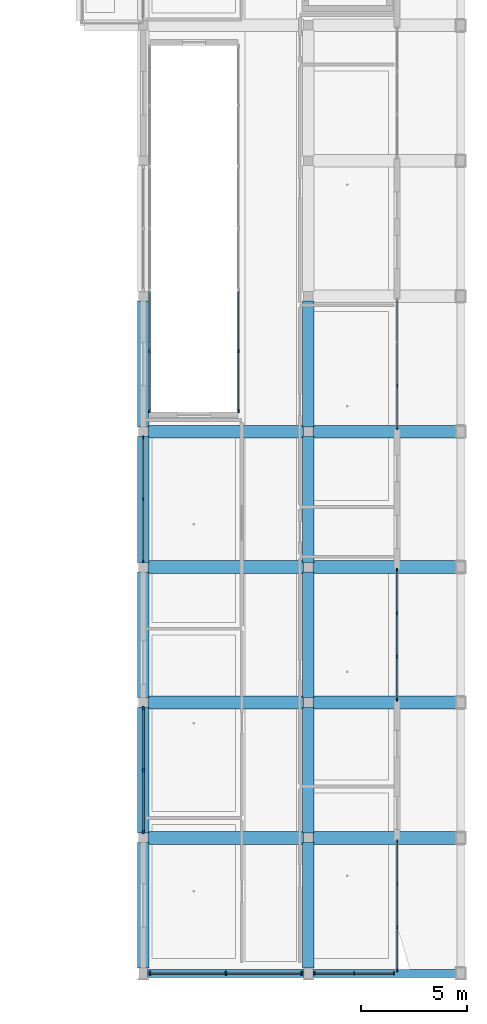
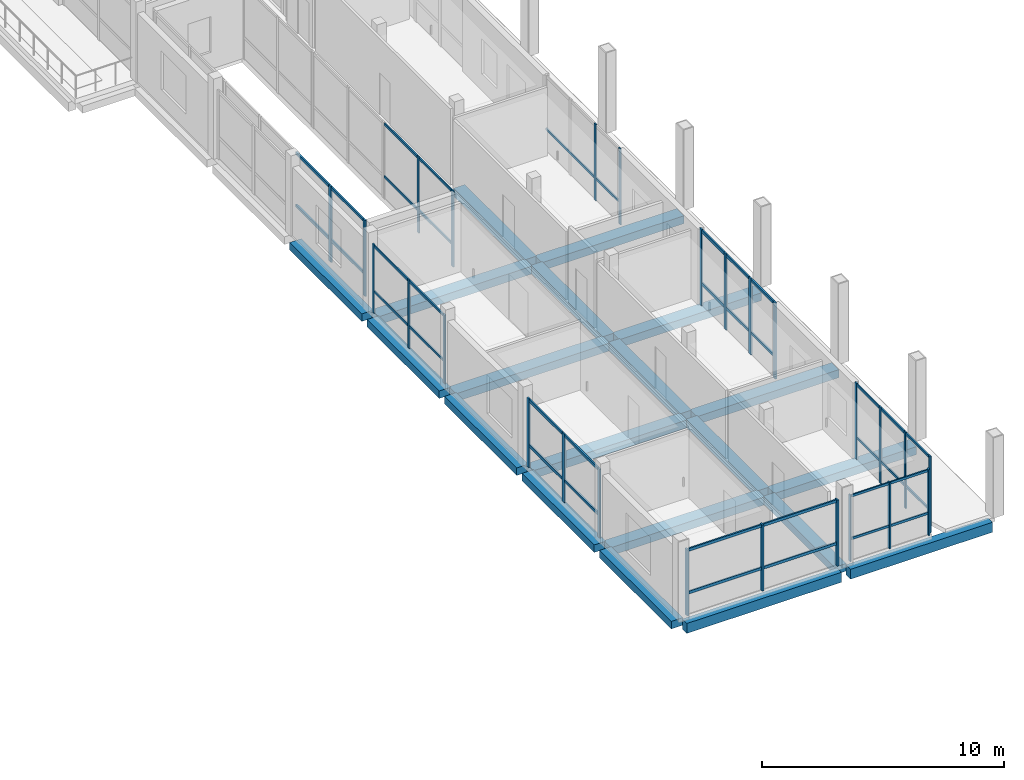
# One storey, part 8 of 48: 43 members, 20 beams, 9 elements without a shape of their own.
"""IFC4 building model written with IfcOpenShell, lengths in metres."""

from ifc_helpers import new_model, si_unit, derived_unit, direction, frame, origin, origin_2d, place, context, subcontext, project, spatial, rectangle, extrude, material, material_profile, profile_set, type_object, element, aggregate, save


model = new_model("IFC4")

# Units and contexts
model_context = context("Model", 3, precision=1e-05, world=origin(), true_north=direction((0.0, 1.0)))
body_context = subcontext(model_context, "Body", "Model", "MODEL_VIEW")
ifc_project = project(units=[si_unit("LENGTHUNIT", "METRE"), si_unit("AREAUNIT", "SQUARE_METRE"), si_unit("VOLUMEUNIT", "CUBIC_METRE"), si_unit("PLANEANGLEUNIT", "RADIAN"), si_unit("MASSUNIT", "GRAM", prefix="KILO"), derived_unit("THERMALTRANSMITTANCEUNIT", [(si_unit("POWERUNIT", "WATT"), 1), (si_unit("LENGTHUNIT", "METRE"), -2), (si_unit("THERMODYNAMICTEMPERATUREUNIT", "KELVIN"), -1)])], contexts=[model_context])

# Site, building, storey
site_placement = place(None, origin())
site = spatial("IfcSite", under=ifc_project, at=site_placement, CompositionType="ELEMENT")
building_placement = place(site_placement, origin())
building = spatial("IfcBuilding", under=site, at=building_placement, Name="Braskholm Square Health Centre", CompositionType="ELEMENT")
storey_placement = place(building_placement, frame((0.0, 0.0, 17.550048828125)))
storey = spatial("IfcBuildingStorey", under=building, at=storey_placement, Name="L05", CompositionType="ELEMENT", Elevation=17.550048828125)

# Curtain wall, members
ifc_material_1 = material(Name="Low-E triple insulating glass (VLT 0.64)", Category="glass")
curtain_wall_type_1 = type_object("IfcCurtainWallType", Name="UnitisedCurtainWall6200x3800", PredefinedType="NOTDEFINED", material=ifc_material_1)
curtain_wall_1_placement = place(storey_placement, origin())
curtain_wall_1 = element("IfcCurtainWall", 1, at=curtain_wall_1_placement, inside=storey, type_object=curtain_wall_type_1, Name="East Crown unitised curtain wall CW-L05-0076", PredefinedType="NOTDEFINED")
ifc_material_2 = material(Name="Architectural bronze anodised aluminium", Category="aluminium")
ifc_material_profile_1 = material_profile(ifc_material_2, rectangle(XDim=0.06494140625, YDim=0.14990234375, at=origin_2d()), Name="ALU-65X150")
ifc_profile_set_1 = profile_set([ifc_material_profile_1], Name="Architectural bronze anodised aluminium")
member_type_1 = type_object("IfcMemberType", Name="CurtainWallMullion65x150", PredefinedType="MULLION", material=ifc_profile_set_1)
member_1_placement = place(storey_placement, frame((160.800048828125, 4.35693359375, 0.0), z_axis=(0.0, 0.0, 1.0), x_axis=(1.0, 0.0, 0.0)))
member_1 = element("IfcMember", 2, at=member_1_placement, type_object=member_type_1, Name="CW-L05-0076 vertical mullion 1", PredefinedType="MULLION", context=body_context, shape_type="SweptSolid", body=[
    extrude(rectangle(XDim=0.06494140625, YDim=0.14990234375, at=origin_2d()), origin(), (0.0, 0.0, 1.0), 3.83984375),
])
member_2_placement = place(storey_placement, frame((160.800048828125, 6.373291015625, 0.0), z_axis=(0.0, 0.0, 1.0), x_axis=(1.0, 0.0, 0.0)))
member_2 = element("IfcMember", 3, at=member_2_placement, type_object=member_type_1, Name="CW-L05-0076 vertical mullion 2", PredefinedType="MULLION", context=body_context, shape_type="SweptSolid", body=[
    extrude(rectangle(XDim=0.06494140625, YDim=0.14990234375, at=origin_2d()), origin(), (0.0, 0.0, 1.0), 3.83984375),
])
member_3_placement = place(storey_placement, frame((160.800048828125, 8.4267578125, 0.0), z_axis=(0.0, 0.0, 1.0), x_axis=(1.0, 0.0, 0.0)))
member_3 = element("IfcMember", 4, at=member_3_placement, type_object=member_type_1, Name="CW-L05-0076 vertical mullion 3", PredefinedType="MULLION", context=body_context, shape_type="SweptSolid", body=[
    extrude(rectangle(XDim=0.06494140625, YDim=0.14990234375, at=origin_2d()), origin(), (0.0, 0.0, 1.0), 3.83984375),
])
member_4_placement = place(storey_placement, frame((160.800048828125, 10.443115234375, 0.0), z_axis=(0.0, 0.0, 1.0), x_axis=(1.0, 0.0, 0.0)))
member_4 = element("IfcMember", 5, at=member_4_placement, type_object=member_type_1, Name="CW-L05-0076 vertical mullion 4", PredefinedType="MULLION", context=body_context, shape_type="SweptSolid", body=[
    extrude(rectangle(XDim=0.06494140625, YDim=0.14990234375, at=origin_2d()), origin(), (0.0, 0.0, 1.0), 3.83984375),
])

curtain_wall_2_placement = place(storey_placement, origin())
curtain_wall_2 = element("IfcCurtainWall", 6, at=curtain_wall_2_placement, inside=storey, type_object=curtain_wall_type_1, Name="East Crown unitised curtain wall CW-L05-0078", PredefinedType="NOTDEFINED")
member_5_placement = place(storey_placement, frame((160.800048828125, 29.95703125, 0.0), z_axis=(0.0, 0.0, 1.0), x_axis=(1.0, 0.0, 0.0)))
member_5 = element("IfcMember", 7, at=member_5_placement, type_object=member_type_1, Name="CW-L05-0078 vertical mullion 1", PredefinedType="MULLION", context=body_context, shape_type="SweptSolid", body=[
    extrude(rectangle(XDim=0.06494140625, YDim=0.14990234375, at=origin_2d()), origin(), (0.0, 0.0, 1.0), 3.83984375),
])
member_6_placement = place(storey_placement, frame((160.800048828125, 31.973388671875, 0.0), z_axis=(0.0, 0.0, 1.0), x_axis=(1.0, 0.0, 0.0)))
member_6 = element("IfcMember", 8, at=member_6_placement, type_object=member_type_1, Name="CW-L05-0078 vertical mullion 2", PredefinedType="MULLION", context=body_context, shape_type="SweptSolid", body=[
    extrude(rectangle(XDim=0.06494140625, YDim=0.14990234375, at=origin_2d()), origin(), (0.0, 0.0, 1.0), 3.83984375),
])

curtain_wall_type_2 = type_object("IfcCurtainWallType", Name="UnitisedCurtainWall6200x3650", PredefinedType="NOTDEFINED", material=ifc_material_1)
curtain_wall_3_placement = place(storey_placement, origin())
curtain_wall_3 = element("IfcCurtainWall", 9, at=curtain_wall_3_placement, inside=storey, type_object=curtain_wall_type_2, Name="East Valley unitised curtain wall CW-L05-0138", PredefinedType="NOTDEFINED")
member_7_placement = place(storey_placement, frame((148.800048828125, 29.5244140625, 0.0), z_axis=(0.0, 0.0, 1.0), x_axis=(1.0, 0.0, 0.0)))
member_7 = element("IfcMember", 10, at=member_7_placement, type_object=member_type_1, Name="CW-L05-0138 vertical mullion 1", PredefinedType="MULLION", context=body_context, shape_type="SweptSolid", body=[
    extrude(rectangle(XDim=0.06494140625, YDim=0.14990234375, at=origin_2d()), origin(), (0.0, 0.0, 1.0), 3.4599609375),
])
member_8_placement = place(storey_placement, frame((148.800048828125, 26.60009765625, 0.0), z_axis=(0.0, 0.0, 1.0), x_axis=(1.0, 0.0, 0.0)))
member_8 = element("IfcMember", 11, at=member_8_placement, type_object=member_type_1, Name="CW-L05-0138 vertical mullion 2", PredefinedType="MULLION", context=body_context, shape_type="SweptSolid", body=[
    extrude(rectangle(XDim=0.06494140625, YDim=0.14990234375, at=origin_2d()), origin(), (0.0, 0.0, 1.0), 3.4599609375),
])
member_9_placement = place(storey_placement, frame((148.800048828125, 23.675537109375, 0.0), z_axis=(0.0, 0.0, 1.0), x_axis=(1.0, 0.0, 0.0)))
member_9 = element("IfcMember", 12, at=member_9_placement, type_object=member_type_1, Name="CW-L05-0138 vertical mullion 3", PredefinedType="MULLION", context=body_context, shape_type="SweptSolid", body=[
    extrude(rectangle(XDim=0.06494140625, YDim=0.14990234375, at=origin_2d()), origin(), (0.0, 0.0, 1.0), 3.4599609375),
])

curtain_wall_type_3 = type_object("IfcCurtainWallType", Name="UnitisedCurtainWall3600x3650", PredefinedType="NOTDEFINED", material=ifc_material_1)
curtain_wall_4_placement = place(storey_placement, origin())
curtain_wall_4 = element("IfcCurtainWall", 13, at=curtain_wall_4_placement, inside=storey, type_object=curtain_wall_type_3, Name="Wing End unitised curtain wall CW-L05-0164", PredefinedType="NOTDEFINED")
member_10_placement = place(storey_placement, frame((156.902587890625, 4.199951171875, 0.0), z_axis=(0.0, 0.0, 1.0), x_axis=(1.0, 0.0, 0.0)))
member_10 = element("IfcMember", 14, at=member_10_placement, type_object=member_type_1, Name="CW-L05-0164 vertical mullion 1", PredefinedType="MULLION", context=body_context, shape_type="SweptSolid", body=[
    extrude(rectangle(XDim=0.06494140625, YDim=0.14990234375, at=origin_2d()), origin(), (0.0, 0.0, 1.0), 3.33984375),
])
member_11_placement = place(storey_placement, frame((158.77001953125, 4.199951171875, 0.0), z_axis=(0.0, 0.0, 1.0), x_axis=(1.0, 0.0, 0.0)))
member_11 = element("IfcMember", 15, at=member_11_placement, type_object=member_type_1, Name="CW-L05-0164 vertical mullion 2", PredefinedType="MULLION", context=body_context, shape_type="SweptSolid", body=[
    extrude(rectangle(XDim=0.06494140625, YDim=0.14990234375, at=origin_2d()), origin(), (0.0, 0.0, 1.0), 3.33984375),
])
member_12_placement = place(storey_placement, frame((160.63720703125, 4.199951171875, 0.0), z_axis=(0.0, 0.0, 1.0), x_axis=(1.0, 0.0, 0.0)))
member_12 = element("IfcMember", 16, at=member_12_placement, type_object=member_type_1, Name="CW-L05-0164 vertical mullion 3", PredefinedType="MULLION", context=body_context, shape_type="SweptSolid", body=[
    extrude(rectangle(XDim=0.06494140625, YDim=0.14990234375, at=origin_2d()), origin(), (0.0, 0.0, 1.0), 3.33984375),
])

curtain_wall_type_4 = type_object("IfcCurtainWallType", Name="UnitisedCurtainWall5400x3800", PredefinedType="NOTDEFINED", material=ifc_material_1)
curtain_wall_5_placement = place(storey_placement, origin())
curtain_wall_5 = element("IfcCurtainWall", 17, at=curtain_wall_5_placement, inside=storey, type_object=curtain_wall_type_4, Name="EC1 Court E unitised curtain wall CW-L05-0346", PredefinedType="NOTDEFINED")
member_13_placement = place(storey_placement, frame((153.300048828125, 33.60107421875, 0.0), z_axis=(0.0, 0.0, 1.0), x_axis=(1.0, 0.0, 0.0)))
member_13 = element("IfcMember", 18, at=member_13_placement, type_object=member_type_1, Name="CW-L05-0346 vertical mullion 2", PredefinedType="MULLION", context=body_context, shape_type="SweptSolid", body=[
    extrude(rectangle(XDim=0.06494140625, YDim=0.14990234375, at=origin_2d()), origin(), (0.0, 0.0, 1.0), 3.83984375),
])
member_14_placement = place(storey_placement, frame((153.300048828125, 30.7744140625, 0.0), z_axis=(0.0, 0.0, 1.0), x_axis=(1.0, 0.0, 0.0)))
member_14 = element("IfcMember", 19, at=member_14_placement, type_object=member_type_1, Name="CW-L05-0346 vertical mullion 3", PredefinedType="MULLION", context=body_context, shape_type="SweptSolid", body=[
    extrude(rectangle(XDim=0.06494140625, YDim=0.14990234375, at=origin_2d()), origin(), (0.0, 0.0, 1.0), 3.83984375),
])

curtain_wall_6_placement = place(storey_placement, origin())
curtain_wall_6 = element("IfcCurtainWall", 20, at=curtain_wall_6_placement, inside=storey, type_object=curtain_wall_type_1, Name="East Crown unitised curtain wall CW-L05-0077", PredefinedType="NOTDEFINED")
ifc_material_profile_2 = material_profile(ifc_material_2, rectangle(XDim=0.074951171875, YDim=0.179931640625, at=origin_2d()), Name="ALU-75X180")
ifc_profile_set_2 = profile_set([ifc_material_profile_2], Name="Architectural bronze anodised aluminium")
member_type_2 = type_object("IfcMemberType", Name="CurtainWallMullion75x180", PredefinedType="MULLION", material=ifc_profile_set_2)
member_15_placement = place(storey_placement, frame((160.800048828125, 17.156982421875, 0.0), z_axis=(0.0, 0.0, 1.0), x_axis=(1.0, 0.0, 0.0)))
member_15 = element("IfcMember", 21, at=member_15_placement, type_object=member_type_2, Name="CW-L05-0077 vertical mullion 1", PredefinedType="MULLION", context=body_context, shape_type="SweptSolid", body=[
    extrude(rectangle(XDim=0.074951171875, YDim=0.179931640625, at=origin_2d()), origin(), (0.0, 0.0, 1.0), 3.83984375),
])
member_16_placement = place(storey_placement, frame((160.800048828125, 19.17333984375, 0.0), z_axis=(0.0, 0.0, 1.0), x_axis=(1.0, 0.0, 0.0)))
member_16 = element("IfcMember", 22, at=member_16_placement, type_object=member_type_2, Name="CW-L05-0077 vertical mullion 2", PredefinedType="MULLION", context=body_context, shape_type="SweptSolid", body=[
    extrude(rectangle(XDim=0.074951171875, YDim=0.179931640625, at=origin_2d()), origin(), (0.0, 0.0, 1.0), 3.83984375),
])
member_17_placement = place(storey_placement, frame((160.800048828125, 21.226806640625, 0.0), z_axis=(0.0, 0.0, 1.0), x_axis=(1.0, 0.0, 0.0)))
member_17 = element("IfcMember", 23, at=member_17_placement, type_object=member_type_2, Name="CW-L05-0077 vertical mullion 3", PredefinedType="MULLION", context=body_context, shape_type="SweptSolid", body=[
    extrude(rectangle(XDim=0.074951171875, YDim=0.179931640625, at=origin_2d()), origin(), (0.0, 0.0, 1.0), 3.83984375),
])
member_18_placement = place(storey_placement, frame((160.800048828125, 23.242919921875, 0.0), z_axis=(0.0, 0.0, 1.0), x_axis=(1.0, 0.0, 0.0)))
member_18 = element("IfcMember", 24, at=member_18_placement, type_object=member_type_2, Name="CW-L05-0077 vertical mullion 4", PredefinedType="MULLION", context=body_context, shape_type="SweptSolid", body=[
    extrude(rectangle(XDim=0.074951171875, YDim=0.179931640625, at=origin_2d()), origin(), (0.0, 0.0, 1.0), 3.83984375),
])

curtain_wall_7_placement = place(storey_placement, origin())
curtain_wall_7 = element("IfcCurtainWall", 25, at=curtain_wall_7_placement, inside=storey, type_object=curtain_wall_type_2, Name="East Valley unitised curtain wall CW-L05-0137", PredefinedType="NOTDEFINED")
member_19_placement = place(storey_placement, frame((148.800048828125, 16.724609375, 0.0), z_axis=(0.0, 0.0, 1.0), x_axis=(1.0, 0.0, 0.0)))
member_19 = element("IfcMember", 26, at=member_19_placement, type_object=member_type_2, Name="CW-L05-0137 vertical mullion 1", PredefinedType="MULLION", context=body_context, shape_type="SweptSolid", body=[
    extrude(rectangle(XDim=0.074951171875, YDim=0.179931640625, at=origin_2d()), origin(), (0.0, 0.0, 1.0), 3.4599609375),
])
member_20_placement = place(storey_placement, frame((148.800048828125, 13.800048828125, 0.0), z_axis=(0.0, 0.0, 1.0), x_axis=(1.0, 0.0, 0.0)))
member_20 = element("IfcMember", 27, at=member_20_placement, type_object=member_type_2, Name="CW-L05-0137 vertical mullion 2", PredefinedType="MULLION", context=body_context, shape_type="SweptSolid", body=[
    extrude(rectangle(XDim=0.074951171875, YDim=0.179931640625, at=origin_2d()), origin(), (0.0, 0.0, 1.0), 3.4599609375),
])
member_21_placement = place(storey_placement, frame((148.800048828125, 10.87548828125, 0.0), z_axis=(0.0, 0.0, 1.0), x_axis=(1.0, 0.0, 0.0)))
member_21 = element("IfcMember", 28, at=member_21_placement, type_object=member_type_2, Name="CW-L05-0137 vertical mullion 3", PredefinedType="MULLION", context=body_context, shape_type="SweptSolid", body=[
    extrude(rectangle(XDim=0.074951171875, YDim=0.179931640625, at=origin_2d()), origin(), (0.0, 0.0, 1.0), 3.4599609375),
])

curtain_wall_8_placement = place(storey_placement, origin())
curtain_wall_8 = element("IfcCurtainWall", 29, at=curtain_wall_8_placement, inside=storey, type_object=curtain_wall_type_2, Name="Wing End unitised curtain wall CW-L05-0163", PredefinedType="NOTDEFINED")
member_22_placement = place(storey_placement, frame((149.123291015625, 4.199951171875, 0.0), z_axis=(0.0, 0.0, 1.0), x_axis=(1.0, 0.0, 0.0)))
member_22 = element("IfcMember", 30, at=member_22_placement, type_object=member_type_2, Name="CW-L05-0163 vertical mullion 1", PredefinedType="MULLION", context=body_context, shape_type="SweptSolid", body=[
    extrude(rectangle(XDim=0.074951171875, YDim=0.179931640625, at=origin_2d()), origin(), (0.0, 0.0, 1.0), 3.33984375),
])
member_23_placement = place(storey_placement, frame((152.699951171875, 4.199951171875, 0.0), z_axis=(0.0, 0.0, 1.0), x_axis=(1.0, 0.0, 0.0)))
member_23 = element("IfcMember", 31, at=member_23_placement, type_object=member_type_2, Name="CW-L05-0163 vertical mullion 2", PredefinedType="MULLION", context=body_context, shape_type="SweptSolid", body=[
    extrude(rectangle(XDim=0.074951171875, YDim=0.179931640625, at=origin_2d()), origin(), (0.0, 0.0, 1.0), 3.33984375),
])
member_24_placement = place(storey_placement, frame((156.276611328125, 4.199951171875, 0.0), z_axis=(0.0, 0.0, 1.0), x_axis=(1.0, 0.0, 0.0)))
member_24 = element("IfcMember", 32, at=member_24_placement, type_object=member_type_2, Name="CW-L05-0163 vertical mullion 3", PredefinedType="MULLION", context=body_context, shape_type="SweptSolid", body=[
    extrude(rectangle(XDim=0.074951171875, YDim=0.179931640625, at=origin_2d()), origin(), (0.0, 0.0, 1.0), 3.33984375),
])

curtain_wall_9_placement = place(storey_placement, origin())
curtain_wall_9 = element("IfcCurtainWall", 33, at=curtain_wall_9_placement, inside=storey, type_object=curtain_wall_type_4, Name="EC1 Court W unitised curtain wall CW-L05-0345", PredefinedType="NOTDEFINED")
member_25_placement = place(storey_placement, frame((149.10009765625, 30.7744140625, 0.0), z_axis=(0.0, 0.0, 1.0), x_axis=(1.0, 0.0, 0.0)))
member_25 = element("IfcMember", 34, at=member_25_placement, type_object=member_type_2, Name="CW-L05-0345 vertical mullion 1", PredefinedType="MULLION", context=body_context, shape_type="SweptSolid", body=[
    extrude(rectangle(XDim=0.074951171875, YDim=0.179931640625, at=origin_2d()), origin(), (0.0, 0.0, 1.0), 3.83984375),
])
member_26_placement = place(storey_placement, frame((149.10009765625, 33.60107421875, 0.0), z_axis=(0.0, 0.0, 1.0), x_axis=(1.0, 0.0, 0.0)))
member_26 = element("IfcMember", 35, at=member_26_placement, type_object=member_type_2, Name="CW-L05-0345 vertical mullion 2", PredefinedType="MULLION", context=body_context, shape_type="SweptSolid", body=[
    extrude(rectangle(XDim=0.074951171875, YDim=0.179931640625, at=origin_2d()), origin(), (0.0, 0.0, 1.0), 3.83984375),
])

# Member
ifc_material_profile_3 = material_profile(ifc_material_2, rectangle(XDim=0.06494140625, YDim=0.1201171875, at=origin_2d()), Name="ALU-65X120")
ifc_profile_set_3 = profile_set([ifc_material_profile_3], Name="Architectural bronze anodised aluminium")
member_type_3 = type_object("IfcMemberType", Name="CurtainWallTransom65x120", PredefinedType="USERDEFINED", material=ifc_profile_set_3)
member_27_placement = place(storey_placement, frame((160.800048828125, 4.364990234375, 1.119873046875), z_axis=(0.0, 1.0, 0.0), x_axis=(-1.0, 0.0, 0.0)))
member_27 = element("IfcMember", 36, at=member_27_placement, type_object=member_type_3, Name="CW-L05-0076 horizontal transom 1", ObjectType="TRANSOM", PredefinedType="USERDEFINED", context=body_context, shape_type="SweptSolid", body=[
    extrude(rectangle(XDim=0.06494140625, YDim=0.1201171875, at=origin_2d()), origin(), (0.0, 0.0, 1.0), 6.070068359375),
])

member_28_placement = place(storey_placement, frame((160.800048828125, 4.364990234375, 3.77001953125), z_axis=(0.0, 1.0, 0.0), x_axis=(-1.0, 0.0, 0.0)))
member_28 = element("IfcMember", 37, at=member_28_placement, type_object=member_type_3, Name="CW-L05-0076 horizontal transom 2", ObjectType="TRANSOM", PredefinedType="USERDEFINED", context=body_context, shape_type="SweptSolid", body=[
    extrude(rectangle(XDim=0.06494140625, YDim=0.1201171875, at=origin_2d()), origin(), (0.0, 0.0, 1.0), 6.070068359375),
])

aggregate(curtain_wall_1, [member_1, member_2, member_3, member_4, member_27, member_28])

member_29_placement = place(storey_placement, frame((160.800048828125, 29.965087890625, 1.119873046875), z_axis=(0.0, 1.0, 0.0), x_axis=(-1.0, 0.0, 0.0)))
member_29 = element("IfcMember", 38, at=member_29_placement, type_object=member_type_3, Name="CW-L05-0078 horizontal transom 1", ObjectType="TRANSOM", PredefinedType="USERDEFINED", context=body_context, shape_type="SweptSolid", body=[
    extrude(rectangle(XDim=0.06494140625, YDim=0.1201171875, at=origin_2d()), origin(), (0.0, 0.0, 1.0), 6.06982421875),
])

aggregate(curtain_wall_2, [member_5, member_6, member_29])

member_30_placement = place(storey_placement, frame((148.800048828125, 29.514892578125, 1.119873046875), z_axis=(0.0, -1.0, 0.0), x_axis=(1.0, 0.0, 0.0)))
member_30 = element("IfcMember", 39, at=member_30_placement, type_object=member_type_3, Name="CW-L05-0138 horizontal transom 1", ObjectType="TRANSOM", PredefinedType="USERDEFINED", context=body_context, shape_type="SweptSolid", body=[
    extrude(rectangle(XDim=0.06494140625, YDim=0.1201171875, at=origin_2d()), origin(), (0.0, 0.0, 1.0), 5.829833984375),
])

member_31_placement = place(storey_placement, frame((148.800048828125, 29.514892578125, 3.389892578125), z_axis=(0.0, -1.0, 0.0), x_axis=(1.0, 0.0, 0.0)))
member_31 = element("IfcMember", 40, at=member_31_placement, type_object=member_type_3, Name="CW-L05-0138 horizontal transom 2", ObjectType="TRANSOM", PredefinedType="USERDEFINED", context=body_context, shape_type="SweptSolid", body=[
    extrude(rectangle(XDim=0.06494140625, YDim=0.1201171875, at=origin_2d()), origin(), (0.0, 0.0, 1.0), 5.829833984375),
])

aggregate(curtain_wall_3, [member_7, member_8, member_9, member_30, member_31])

member_32_placement = place(storey_placement, frame((156.925048828125, 4.199951171875, 1.119873046875), z_axis=(1.0, 0.0, 0.0), x_axis=(0.0, 1.0, 0.0)))
member_32 = element("IfcMember", 41, at=member_32_placement, type_object=member_type_3, Name="CW-L05-0164 horizontal transom 1", ObjectType="TRANSOM", PredefinedType="USERDEFINED", context=body_context, shape_type="SweptSolid", body=[
    extrude(rectangle(XDim=0.06494140625, YDim=0.1201171875, at=origin_2d()), origin(), (0.0, 0.0, 1.0), 3.68994140625),
])

member_33_placement = place(storey_placement, frame((156.925048828125, 4.199951171875, 3.27001953125), z_axis=(1.0, 0.0, 0.0), x_axis=(0.0, 1.0, 0.0)))
member_33 = element("IfcMember", 42, at=member_33_placement, type_object=member_type_3, Name="CW-L05-0164 horizontal transom 2", ObjectType="TRANSOM", PredefinedType="USERDEFINED", context=body_context, shape_type="SweptSolid", body=[
    extrude(rectangle(XDim=0.06494140625, YDim=0.1201171875, at=origin_2d()), origin(), (0.0, 0.0, 1.0), 3.68994140625),
])

aggregate(curtain_wall_4, [member_10, member_11, member_12, member_32, member_33])

member_34_placement = place(storey_placement, frame((153.300048828125, 36.4169921875, 1.119873046875), z_axis=(0.0, -1.0, 0.0), x_axis=(1.0, 0.0, 0.0)))
member_34 = element("IfcMember", 43, at=member_34_placement, type_object=member_type_3, Name="CW-L05-0346 horizontal transom 1", ObjectType="TRANSOM", PredefinedType="USERDEFINED", context=body_context, shape_type="SweptSolid", body=[
    extrude(rectangle(XDim=0.06494140625, YDim=0.1201171875, at=origin_2d()), origin(), (0.0, 0.0, 1.0), 5.632080078125),
])

member_35_placement = place(storey_placement, frame((153.300048828125, 36.4169921875, 3.77001953125), z_axis=(0.0, -1.0, 0.0), x_axis=(1.0, 0.0, 0.0)))
member_35 = element("IfcMember", 44, at=member_35_placement, type_object=member_type_3, Name="CW-L05-0346 horizontal transom 2", ObjectType="TRANSOM", PredefinedType="USERDEFINED", context=body_context, shape_type="SweptSolid", body=[
    extrude(rectangle(XDim=0.06494140625, YDim=0.1201171875, at=origin_2d()), origin(), (0.0, 0.0, 1.0), 5.632080078125),
])

aggregate(curtain_wall_5, [member_13, member_14, member_34, member_35])

ifc_material_profile_4 = material_profile(ifc_material_2, rectangle(XDim=0.074951171875, YDim=0.139892578125, at=origin_2d()), Name="ALU-75X140")
ifc_profile_set_4 = profile_set([ifc_material_profile_4], Name="Architectural bronze anodised aluminium")
member_type_4 = type_object("IfcMemberType", Name="CurtainWallTransom75x140", PredefinedType="USERDEFINED", material=ifc_profile_set_4)
member_36_placement = place(storey_placement, frame((160.800048828125, 17.1650390625, 1.119873046875), z_axis=(0.0, 1.0, 0.0), x_axis=(-1.0, 0.0, 0.0)))
member_36 = element("IfcMember", 45, at=member_36_placement, type_object=member_type_4, Name="CW-L05-0077 horizontal transom 1", ObjectType="TRANSOM", PredefinedType="USERDEFINED", context=body_context, shape_type="SweptSolid", body=[
    extrude(rectangle(XDim=0.074951171875, YDim=0.139892578125, at=origin_2d()), origin(), (0.0, 0.0, 1.0), 6.070068359375),
])

member_37_placement = place(storey_placement, frame((160.800048828125, 17.1650390625, 3.77001953125), z_axis=(0.0, 1.0, 0.0), x_axis=(-1.0, 0.0, 0.0)))
member_37 = element("IfcMember", 46, at=member_37_placement, type_object=member_type_4, Name="CW-L05-0077 horizontal transom 2", ObjectType="TRANSOM", PredefinedType="USERDEFINED", context=body_context, shape_type="SweptSolid", body=[
    extrude(rectangle(XDim=0.074951171875, YDim=0.139892578125, at=origin_2d()), origin(), (0.0, 0.0, 1.0), 6.070068359375),
])

aggregate(curtain_wall_6, [member_15, member_16, member_17, member_18, member_36, member_37])

member_38_placement = place(storey_placement, frame((148.800048828125, 16.715087890625, 1.119873046875), z_axis=(0.0, -1.0, 0.0), x_axis=(1.0, 0.0, 0.0)))
member_38 = element("IfcMember", 47, at=member_38_placement, type_object=member_type_4, Name="CW-L05-0137 horizontal transom 1", ObjectType="TRANSOM", PredefinedType="USERDEFINED", context=body_context, shape_type="SweptSolid", body=[
    extrude(rectangle(XDim=0.074951171875, YDim=0.139892578125, at=origin_2d()), origin(), (0.0, 0.0, 1.0), 5.830078125),
])

member_39_placement = place(storey_placement, frame((148.800048828125, 16.715087890625, 3.389892578125), z_axis=(0.0, -1.0, 0.0), x_axis=(1.0, 0.0, 0.0)))
member_39 = element("IfcMember", 48, at=member_39_placement, type_object=member_type_4, Name="CW-L05-0137 horizontal transom 2", ObjectType="TRANSOM", PredefinedType="USERDEFINED", context=body_context, shape_type="SweptSolid", body=[
    extrude(rectangle(XDim=0.074951171875, YDim=0.139892578125, at=origin_2d()), origin(), (0.0, 0.0, 1.0), 5.830078125),
])

aggregate(curtain_wall_7, [member_19, member_20, member_21, member_38, member_39])

member_40_placement = place(storey_placement, frame((149.125, 4.199951171875, 1.119873046875), z_axis=(1.0, 0.0, 0.0), x_axis=(0.0, 1.0, 0.0)))
member_40 = element("IfcMember", 49, at=member_40_placement, type_object=member_type_4, Name="CW-L05-0163 horizontal transom 1", ObjectType="TRANSOM", PredefinedType="USERDEFINED", context=body_context, shape_type="SweptSolid", body=[
    extrude(rectangle(XDim=0.074951171875, YDim=0.139892578125, at=origin_2d()), origin(), (0.0, 0.0, 1.0), 7.14990234375),
])

member_41_placement = place(storey_placement, frame((149.125, 4.199951171875, 3.27001953125), z_axis=(1.0, 0.0, 0.0), x_axis=(0.0, 1.0, 0.0)))
member_41 = element("IfcMember", 50, at=member_41_placement, type_object=member_type_4, Name="CW-L05-0163 horizontal transom 2", ObjectType="TRANSOM", PredefinedType="USERDEFINED", context=body_context, shape_type="SweptSolid", body=[
    extrude(rectangle(XDim=0.074951171875, YDim=0.139892578125, at=origin_2d()), origin(), (0.0, 0.0, 1.0), 7.14990234375),
])

aggregate(curtain_wall_8, [member_22, member_23, member_24, member_40, member_41])

member_42_placement = place(storey_placement, frame((149.10009765625, 30.784912109375, 1.119873046875), z_axis=(0.0, 1.0, 0.0), x_axis=(-1.0, 0.0, 0.0)))
member_42 = element("IfcMember", 51, at=member_42_placement, type_object=member_type_4, Name="CW-L05-0345 horizontal transom 1", ObjectType="TRANSOM", PredefinedType="USERDEFINED", context=body_context, shape_type="SweptSolid", body=[
    extrude(rectangle(XDim=0.074951171875, YDim=0.139892578125, at=origin_2d()), origin(), (0.0, 0.0, 1.0), 5.632080078125),
])

member_43_placement = place(storey_placement, frame((149.10009765625, 30.784912109375, 3.77001953125), z_axis=(0.0, 1.0, 0.0), x_axis=(-1.0, 0.0, 0.0)))
member_43 = element("IfcMember", 52, at=member_43_placement, type_object=member_type_4, Name="CW-L05-0345 horizontal transom 2", ObjectType="TRANSOM", PredefinedType="USERDEFINED", context=body_context, shape_type="SweptSolid", body=[
    extrude(rectangle(XDim=0.074951171875, YDim=0.139892578125, at=origin_2d()), origin(), (0.0, 0.0, 1.0), 5.632080078125),
])

aggregate(curtain_wall_9, [member_25, member_26, member_42, member_43])

# Beams
ifc_material_3 = material(Name="Concrete C35/45 (f'c = 35 MPa)", Category="concrete")
ifc_material_profile_5 = material_profile(ifc_material_3, rectangle(XDim=0.550048828125, YDim=0.3798828125, at=origin_2d()), Name="RCB-550X380")
ifc_profile_set_5 = profile_set([ifc_material_profile_5], Name="Concrete C35/45 (f'c = 35 MPa)")
beam_type_1 = type_object("IfcBeamType", Name="PrimaryBandBeam550x380", PredefinedType="BEAM", material=ifc_profile_set_5)
beam_1_placement = place(storey_placement, frame((148.800048828125, 4.4599609375, -0.469970703125), z_axis=(0.0, 1.0, 0.0), x_axis=(-1.0, 0.0, 0.0)))
element("IfcBeam", 53, at=beam_1_placement, inside=storey, type_object=beam_type_1, Name="Beam 20/A-B L05", PredefinedType="BEAM", context=body_context, shape_type="SweptSolid", body=[
    extrude(rectangle(XDim=0.550048828125, YDim=0.3798828125, at=origin_2d()), origin(), (0.0, 0.0, 1.0), 5.9150390625),
])
for number, where, z_axis, x_axis, name in (
    (54, (148.800048828125, 10.824951171875, -0.469970703125), (0.0, 1.0, 0.0), (-1.0, 0.0, 0.0), "Beam 20/B-C L05"),
    (55, (148.800048828125, 17.22509765625, -0.469970703125), (0.0, 1.0, 0.0), (-1.0, 0.0, 0.0), "Beam 20/C-D L05"),
    (56, (148.800048828125, 23.625, -0.469970703125), (0.0, 1.0, 0.0), (-1.0, 0.0, 0.0), "Beam 20/D-E L05"),
):
    element("IfcBeam", number, at=place(storey_placement, frame(where, z_axis=z_axis, x_axis=x_axis)), inside=storey, type_object=beam_type_1, Name=name, PredefinedType="BEAM", context=body_context, shape_type="SweptSolid", body=[
        extrude(rectangle(XDim=0.550048828125, YDim=0.3798828125, at=origin_2d()), origin(), (0.0, 0.0, 1.0), 5.949951171875),
    ])
beam_2_placement = place(storey_placement, frame((148.800048828125, 30.02490234375, -0.469970703125), z_axis=(0.0, 1.0, 0.0), x_axis=(-1.0, 0.0, 0.0)))
element("IfcBeam", 57, at=beam_2_placement, inside=storey, type_object=beam_type_1, Name="Beam 20/E-F L05", PredefinedType="BEAM", context=body_context, shape_type="SweptSolid", body=[
    extrude(rectangle(XDim=0.550048828125, YDim=0.3798828125, at=origin_2d()), origin(), (0.0, 0.0, 1.0), 5.9501953125),
])
beam_3_placement = place(storey_placement, frame((156.60009765625, 4.4599609375, -0.469970703125), z_axis=(0.0, 1.0, 0.0), x_axis=(-1.0, 0.0, 0.0)))
element("IfcBeam", 58, at=beam_3_placement, inside=storey, type_object=beam_type_1, Name="Beam 21/A-B L05", PredefinedType="BEAM", context=body_context, shape_type="SweptSolid", body=[
    extrude(rectangle(XDim=0.550048828125, YDim=0.3798828125, at=origin_2d()), origin(), (0.0, 0.0, 1.0), 5.9150390625),
])
for number, where, z_axis, x_axis, name in (
    (59, (156.60009765625, 10.824951171875, -0.469970703125), (0.0, 1.0, 0.0), (-1.0, 0.0, 0.0), "Beam 21/B-C L05"),
    (60, (156.60009765625, 17.22509765625, -0.469970703125), (0.0, 1.0, 0.0), (-1.0, 0.0, 0.0), "Beam 21/C-D L05"),
    (61, (156.60009765625, 23.625, -0.469970703125), (0.0, 1.0, 0.0), (-1.0, 0.0, 0.0), "Beam 21/D-E L05"),
):
    element("IfcBeam", number, at=place(storey_placement, frame(where, z_axis=z_axis, x_axis=x_axis)), inside=storey, type_object=beam_type_1, Name=name, PredefinedType="BEAM", context=body_context, shape_type="SweptSolid", body=[
        extrude(rectangle(XDim=0.550048828125, YDim=0.3798828125, at=origin_2d()), origin(), (0.0, 0.0, 1.0), 5.949951171875),
    ])
beam_4_placement = place(storey_placement, frame((156.60009765625, 30.02490234375, -0.469970703125), z_axis=(0.0, 1.0, 0.0), x_axis=(-1.0, 0.0, 0.0)))
element("IfcBeam", 62, at=beam_4_placement, inside=storey, type_object=beam_type_1, Name="Beam 21/E-F L05", PredefinedType="BEAM", context=body_context, shape_type="SweptSolid", body=[
    extrude(rectangle(XDim=0.550048828125, YDim=0.3798828125, at=origin_2d()), origin(), (0.0, 0.0, 1.0), 5.9501953125),
])
ifc_material_profile_6 = material_profile(ifc_material_3, rectangle(XDim=0.60009765625, YDim=0.39990234375, at=origin_2d()), Name="RCB-600X400")
ifc_profile_set_6 = profile_set([ifc_material_profile_6], Name="Concrete C35/45 (f'c = 35 MPa)")
beam_type_2 = type_object("IfcBeamType", Name="PrimaryBandBeam600x400", PredefinedType="BEAM", material=ifc_profile_set_6)
beam_5_placement = place(storey_placement, frame((149.02490234375, 10.60009765625, -0.47998046875), z_axis=(1.0, 0.0, 0.0), x_axis=(0.0, 1.0, 0.0)))
element("IfcBeam", 63, at=beam_5_placement, inside=storey, type_object=beam_type_2, Name="Beam 20-21/B L05", PredefinedType="BEAM", context=body_context, shape_type="SweptSolid", body=[
    extrude(rectangle(XDim=0.60009765625, YDim=0.39990234375, at=origin_2d()), origin(), (0.0, 0.0, 1.0), 7.35009765625),
])
beam_6_placement = place(storey_placement, frame((156.824951171875, 10.60009765625, -0.47998046875), z_axis=(1.0, 0.0, 0.0), x_axis=(0.0, 1.0, 0.0)))
element("IfcBeam", 64, at=beam_6_placement, inside=storey, type_object=beam_type_2, Name="Beam 21-22/B L05", PredefinedType="BEAM", context=body_context, shape_type="SweptSolid", body=[
    extrude(rectangle(XDim=0.60009765625, YDim=0.39990234375, at=origin_2d()), origin(), (0.0, 0.0, 1.0), 6.76513671875),
])
beam_7_placement = place(storey_placement, frame((149.02490234375, 17.0, -0.47998046875), z_axis=(1.0, 0.0, 0.0), x_axis=(0.0, 1.0, 0.0)))
element("IfcBeam", 65, at=beam_7_placement, inside=storey, type_object=beam_type_2, Name="Beam 20-21/C L05", PredefinedType="BEAM", context=body_context, shape_type="SweptSolid", body=[
    extrude(rectangle(XDim=0.60009765625, YDim=0.39990234375, at=origin_2d()), origin(), (0.0, 0.0, 1.0), 7.35009765625),
])
beam_8_placement = place(storey_placement, frame((156.824951171875, 17.0, -0.47998046875), z_axis=(1.0, 0.0, 0.0), x_axis=(0.0, 1.0, 0.0)))
element("IfcBeam", 66, at=beam_8_placement, inside=storey, type_object=beam_type_2, Name="Beam 21-22/C L05", PredefinedType="BEAM", context=body_context, shape_type="SweptSolid", body=[
    extrude(rectangle(XDim=0.60009765625, YDim=0.39990234375, at=origin_2d()), origin(), (0.0, 0.0, 1.0), 6.76513671875),
])
beam_9_placement = place(storey_placement, frame((149.02490234375, 23.39990234375, -0.47998046875), z_axis=(1.0, 0.0, 0.0), x_axis=(0.0, 1.0, 0.0)))
element("IfcBeam", 67, at=beam_9_placement, inside=storey, type_object=beam_type_2, Name="Beam 20-21/D L05", PredefinedType="BEAM", context=body_context, shape_type="SweptSolid", body=[
    extrude(rectangle(XDim=0.60009765625, YDim=0.39990234375, at=origin_2d()), origin(), (0.0, 0.0, 1.0), 7.35009765625),
])
beam_10_placement = place(storey_placement, frame((156.824951171875, 23.39990234375, -0.47998046875), z_axis=(1.0, 0.0, 0.0), x_axis=(0.0, 1.0, 0.0)))
element("IfcBeam", 68, at=beam_10_placement, inside=storey, type_object=beam_type_2, Name="Beam 21-22/D L05", PredefinedType="BEAM", context=body_context, shape_type="SweptSolid", body=[
    extrude(rectangle(XDim=0.60009765625, YDim=0.39990234375, at=origin_2d()), origin(), (0.0, 0.0, 1.0), 6.76513671875),
])
beam_11_placement = place(storey_placement, frame((149.02490234375, 29.800048828125, -0.47998046875), z_axis=(1.0, 0.0, 0.0), x_axis=(0.0, 1.0, 0.0)))
element("IfcBeam", 69, at=beam_11_placement, inside=storey, type_object=beam_type_2, Name="Beam 20-21/E L05", PredefinedType="BEAM", context=body_context, shape_type="SweptSolid", body=[
    extrude(rectangle(XDim=0.60009765625, YDim=0.39990234375, at=origin_2d()), origin(), (0.0, 0.0, 1.0), 7.35009765625),
])
beam_12_placement = place(storey_placement, frame((156.824951171875, 29.800048828125, -0.47998046875), z_axis=(1.0, 0.0, 0.0), x_axis=(0.0, 1.0, 0.0)))
element("IfcBeam", 70, at=beam_12_placement, inside=storey, type_object=beam_type_2, Name="Beam 21-22/E L05", PredefinedType="BEAM", context=body_context, shape_type="SweptSolid", body=[
    extrude(rectangle(XDim=0.60009765625, YDim=0.39990234375, at=origin_2d()), origin(), (0.0, 0.0, 1.0), 6.76513671875),
])
ifc_material_4 = material(Name="Precast concrete C40/50 architectural white", Category="concrete")
ifc_material_profile_7 = material_profile(ifc_material_4, rectangle(XDim=0.3798828125, YDim=0.5, at=origin_2d()), Name="RCB-380X500")
ifc_profile_set_7 = profile_set([ifc_material_profile_7], Name="Precast concrete C40/50 architectural white")
beam_type_3 = type_object("IfcBeamType", Name="SpandrelPrecastEdge380x500", PredefinedType="SPANDREL", material=ifc_profile_set_7)
beam_13_placement = place(storey_placement, frame((149.010009765625, 4.199951171875, -0.530029296875), z_axis=(1.0, 0.0, 0.0), x_axis=(0.0, 1.0, 0.0)))
element("IfcBeam", 71, at=beam_13_placement, inside=storey, type_object=beam_type_3, Name="Beam 20-21/A L05", PredefinedType="SPANDREL", context=body_context, shape_type="SweptSolid", body=[
    extrude(rectangle(XDim=0.3798828125, YDim=0.5, at=origin_2d()), origin(), (0.0, 0.0, 1.0), 7.3798828125),
])
beam_14_placement = place(storey_placement, frame((156.81005859375, 4.199951171875, -0.530029296875), z_axis=(1.0, 0.0, 0.0), x_axis=(0.0, 1.0, 0.0)))
element("IfcBeam", 72, at=beam_14_placement, inside=storey, type_object=beam_type_3, Name="Beam 21-22/A L05", PredefinedType="SPANDREL", context=body_context, shape_type="SweptSolid", body=[
    extrude(rectangle(XDim=0.3798828125, YDim=0.5, at=origin_2d()), origin(), (0.0, 0.0, 1.0), 6.780029296875),
])

save(model, "model.ifc")
